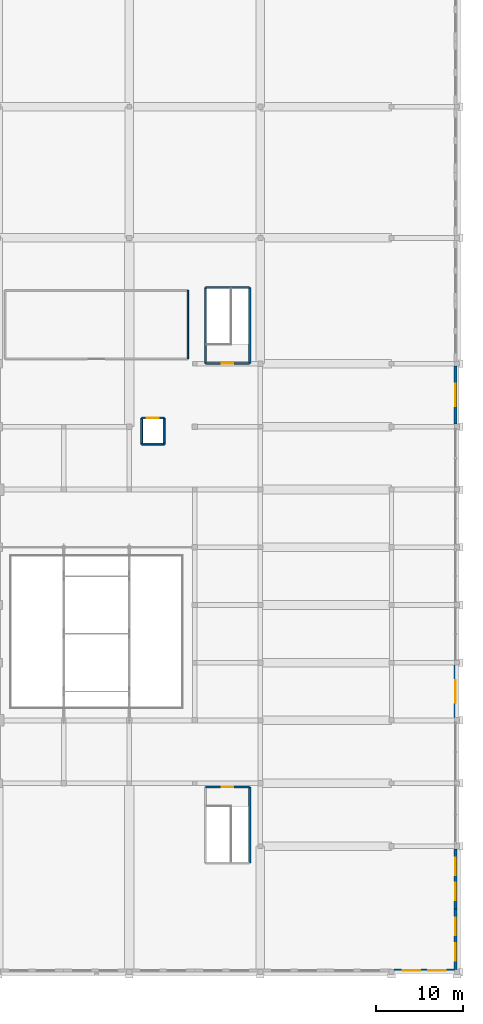
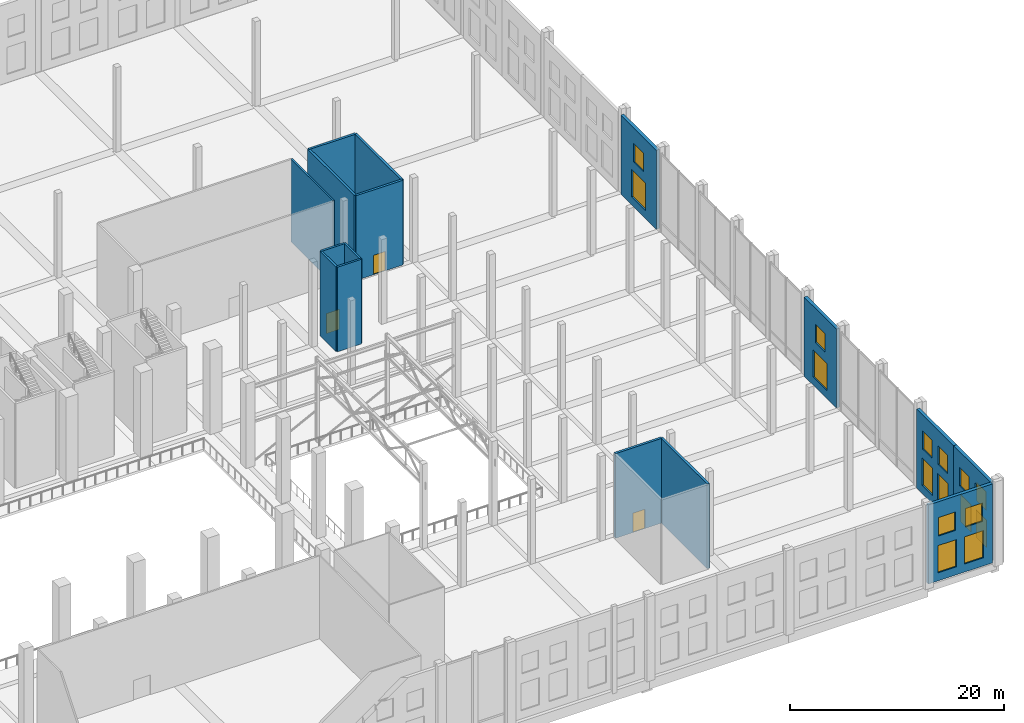
# One storey, part 71 of 80: 16 walls, 16 windows, 3 doors, 19 openings.
"""IFC4 building model written with IfcOpenShell, lengths in metres."""

from ifc_helpers import new_model, si_unit, direction, frame, frame_2d, origin, place, context, subcontext, project, spatial, rectangle, extrude, material, layer, layer_set, type_object, element, fill, save


model = new_model("IFC4")

# Units and contexts
model_context = context("Model", 3, precision=1e-05, world=origin(), true_north=direction((0.0, 1.0)))
body_context = subcontext(model_context, "Body", "Model", "MODEL_VIEW")
ifc_project = project(units=[si_unit("LENGTHUNIT", "METRE"), si_unit("AREAUNIT", "SQUARE_METRE"), si_unit("VOLUMEUNIT", "CUBIC_METRE"), si_unit("PLANEANGLEUNIT", "RADIAN"), si_unit("MASSUNIT", "GRAM", prefix="KILO")], contexts=[model_context])

# Site, building, storey
site_placement = place(None, origin())
site = spatial("IfcSite", under=ifc_project, at=site_placement, CompositionType="ELEMENT")
building_placement = place(site_placement, origin())
building = spatial("IfcBuilding", under=site, at=building_placement, Name="Akrevak Sports Hall", CompositionType="ELEMENT")
storey_placement = place(building_placement, frame((0.0, 0.0, 14.0)))
storey = spatial("IfcBuildingStorey", under=building, at=storey_placement, Name="L03", CompositionType="ELEMENT", Elevation=14.0)

# Wall, openings, windows
ifc_material_1 = material(Name="Limestone Ashlar", Category="stone")
ifc_layer_1 = layer(ifc_material_1, 0.070068359375, Name="Limestone Ashlar")
ifc_material_2 = material(Name="Mineral Wool Thermal Insulation", Category="insulation")
ifc_layer_2 = layer(ifc_material_2, 0.10009765625, Name="Mineral Wool Thermal Insulation")
ifc_material_3 = material(Name="Concrete C40/50", Category="concrete")
ifc_layer_3 = layer(ifc_material_3, 0.169921875, Name="Concrete C40/50")
ifc_layer_set_1 = layer_set([ifc_layer_1, ifc_layer_2, ifc_layer_3], Name="Limestone Ashlar / Mineral Wool Thermal Insulation / Concrete C40/50")
wall_type_1 = type_object("IfcWallType", Name="ARC-WL-EXT-340", PredefinedType="SOLIDWALL", material=ifc_layer_set_1)
wall_1_placement = place(storey_placement, frame((160.800048828125, 0.169921875, 0.0), z_axis=(0.0, 0.0, 1.0), x_axis=(1.0, 0.0, 0.0)))
wall_1 = element("IfcWall", 1, at=wall_1_placement, inside=storey, type_object=wall_type_1, Name="Exterior Limestone Wall L03-S20", PredefinedType="SOLIDWALL", context=body_context, shape_type="SweptSolid", body=[
    extrude(rectangle(XDim=6.89990234375, YDim=0.340087890625, at=frame_2d((3.449951171875, 0.0))), origin(), (0.0, 0.0, 1.0), 9.0),
])
opening_1_placement = place(wall_1_placement, frame((1.0009765625, 0.0, 0.919921875)))
opening_1 = element("IfcOpeningElement", 2, at=opening_1_placement, cuts=wall_1, Name="Opening WN-41", PredefinedType="OPENING", context=body_context, shape_type="SweptSolid", body=[
    extrude(rectangle(XDim=2.0, YDim=3.10009765625, at=frame_2d((1.0, 1.550048828125))), frame((0.0, 0.18212890625, 0.0), z_axis=(0.0, -1.0, 0.0), x_axis=(1.0, 0.0, 0.0)), (0.0, 0.0, 1.0), 0.364013671875),
])
opening_2_placement = place(wall_1_placement, frame((1.10107421875, 0.0, 5.10009765625)))
opening_2 = element("IfcOpeningElement", 3, at=opening_2_placement, cuts=wall_1, Name="Opening WN-37", PredefinedType="OPENING", context=body_context, shape_type="SweptSolid", body=[
    extrude(rectangle(XDim=1.800048828125, YDim=2.10009765625, at=frame_2d((0.89990234375, 1.050048828125))), frame((0.0, 0.18212890625, 0.0), z_axis=(0.0, -1.0, 0.0), x_axis=(1.0, 0.0, 0.0)), (0.0, 0.0, 1.0), 0.364013671875),
])
opening_3_placement = place(wall_1_placement, frame((3.89892578125, 0.0, 0.919921875)))
opening_3 = element("IfcOpeningElement", 4, at=opening_3_placement, cuts=wall_1, Name="Opening WN-41", PredefinedType="OPENING", context=body_context, shape_type="SweptSolid", body=[
    extrude(rectangle(XDim=2.0, YDim=3.10009765625, at=frame_2d((1.0, 1.550048828125))), frame((0.0, 0.18212890625, 0.0), z_axis=(0.0, -1.0, 0.0), x_axis=(1.0, 0.0, 0.0)), (0.0, 0.0, 1.0), 0.364013671875),
])
opening_4_placement = place(wall_1_placement, frame((3.9990234375, 0.0, 5.10009765625)))
opening_4 = element("IfcOpeningElement", 5, at=opening_4_placement, cuts=wall_1, Name="Opening WN-37", PredefinedType="OPENING", context=body_context, shape_type="SweptSolid", body=[
    extrude(rectangle(XDim=1.800048828125, YDim=2.10009765625, at=frame_2d((0.89990234375, 1.050048828125))), frame((0.0, 0.18212890625, 0.0), z_axis=(0.0, -1.0, 0.0), x_axis=(1.0, 0.0, 0.0)), (0.0, 0.0, 1.0), 0.364013671875),
])
ifc_material_4 = material(Name="Thermally Broken Bronze Frame & Double Low-E Glass", Category="glass")
window_type_1 = type_object("IfcWindowType", Name="ARC-WIN-SZ-1800x2100", PartitioningType="SINGLE_PANEL", PredefinedType="WINDOW", material=ifc_material_4)
window_1_placement = place(opening_2_placement, origin())
window_1 = element("IfcWindow", 6, at=window_1_placement, inside=storey, type_object=window_type_1, Name="Beaux-Arts Attic Clerestory Window WIN-L03-S20-1U", OverallHeight=2.10009765625, OverallWidth=1.800048828125, PartitioningType="SINGLE_PANEL", PredefinedType="WINDOW", context=body_context, shape_type="SweptSolid", body=[
    extrude(rectangle(XDim=1.800048828125, YDim=2.10009765625, at=frame_2d((0.89990234375, 1.050048828125))), frame((0.0, 0.030029296875, 0.0), z_axis=(0.0, -1.0, 0.0), x_axis=(1.0, 0.0, 0.0)), (0.0, 0.0, 1.0), 0.06005859375),
])
fill(opening_2, window_1)
window_2_placement = place(opening_4_placement, origin())
window_2 = element("IfcWindow", 7, at=window_2_placement, inside=storey, type_object=window_type_1, Name="Beaux-Arts Attic Clerestory Window WIN-L03-S20-2U", OverallHeight=2.10009765625, OverallWidth=1.800048828125, PartitioningType="SINGLE_PANEL", PredefinedType="WINDOW", context=body_context, shape_type="SweptSolid", body=[
    extrude(rectangle(XDim=1.800048828125, YDim=2.10009765625, at=frame_2d((0.89990234375, 1.050048828125))), frame((0.0, 0.030029296875, 0.0), z_axis=(0.0, -1.0, 0.0), x_axis=(1.0, 0.0, 0.0)), (0.0, 0.0, 1.0), 0.06005859375),
])
fill(opening_4, window_2)
window_type_2 = type_object("IfcWindowType", Name="ARC-WIN-SZ-2000x3100", PartitioningType="SINGLE_PANEL", PredefinedType="WINDOW", material=ifc_material_4)
window_3_placement = place(opening_1_placement, origin())
window_3 = element("IfcWindow", 8, at=window_3_placement, inside=storey, type_object=window_type_2, Name="Beaux-Arts Facade Window WIN-L03-S20-1", OverallHeight=3.10009765625, OverallWidth=2.0, PartitioningType="SINGLE_PANEL", PredefinedType="WINDOW", context=body_context, shape_type="SweptSolid", body=[
    extrude(rectangle(XDim=2.0, YDim=3.10009765625, at=frame_2d((1.0, 1.550048828125))), frame((0.0, 0.030029296875, 0.0), z_axis=(0.0, -1.0, 0.0), x_axis=(1.0, 0.0, 0.0)), (0.0, 0.0, 1.0), 0.06005859375),
])
fill(opening_1, window_3)
window_4_placement = place(opening_3_placement, origin())
window_4 = element("IfcWindow", 9, at=window_4_placement, inside=storey, type_object=window_type_2, Name="Beaux-Arts Facade Window WIN-L03-S20-2", OverallHeight=3.10009765625, OverallWidth=2.0, PartitioningType="SINGLE_PANEL", PredefinedType="WINDOW", context=body_context, shape_type="SweptSolid", body=[
    extrude(rectangle(XDim=2.0, YDim=3.10009765625, at=frame_2d((1.0, 1.550048828125))), frame((0.0, 0.030029296875, 0.0), z_axis=(0.0, -1.0, 0.0), x_axis=(1.0, 0.0, 0.0)), (0.0, 0.0, 1.0), 0.06005859375),
])
fill(opening_3, window_4)

wall_2_placement = place(storey_placement, frame((167.830078125, 0.300048828125, 0.0), z_axis=(0.0, 0.0, 1.0), x_axis=(0.0, 1.0, 0.0)))
wall_2 = element("IfcWall", 10, at=wall_2_placement, inside=storey, type_object=wall_type_1, Name="Exterior Limestone Wall L03-E01", PredefinedType="SOLIDWALL", context=body_context, shape_type="SweptSolid", body=[
    extrude(rectangle(XDim=6.89990234375, YDim=0.340087890625, at=frame_2d((3.449951171875, 0.0))), origin(), (0.0, 0.0, 1.0), 9.0),
])
opening_5_placement = place(wall_2_placement, frame((1.0009765625, 0.0, 0.919921875)))
opening_5 = element("IfcOpeningElement", 11, at=opening_5_placement, cuts=wall_2, Name="Opening WN-41", PredefinedType="OPENING", context=body_context, shape_type="SweptSolid", body=[
    extrude(rectangle(XDim=2.0, YDim=3.10009765625, at=frame_2d((1.0, 1.550048828125))), frame((0.0, 0.18212890625, 0.0), z_axis=(0.0, -1.0, 0.0), x_axis=(1.0, 0.0, 0.0)), (0.0, 0.0, 1.0), 0.364013671875),
])
opening_6_placement = place(wall_2_placement, frame((1.10107421875, 0.0, 5.10009765625)))
opening_6 = element("IfcOpeningElement", 12, at=opening_6_placement, cuts=wall_2, Name="Opening WN-37", PredefinedType="OPENING", context=body_context, shape_type="SweptSolid", body=[
    extrude(rectangle(XDim=1.800048828125, YDim=2.10009765625, at=frame_2d((0.89990234375, 1.050048828125))), frame((0.0, 0.18212890625, 0.0), z_axis=(0.0, -1.0, 0.0), x_axis=(1.0, 0.0, 0.0)), (0.0, 0.0, 1.0), 0.364013671875),
])
opening_7_placement = place(wall_2_placement, frame((3.89892578125, 0.0, 0.919921875)))
opening_7 = element("IfcOpeningElement", 13, at=opening_7_placement, cuts=wall_2, Name="Opening WN-41", PredefinedType="OPENING", context=body_context, shape_type="SweptSolid", body=[
    extrude(rectangle(XDim=2.0, YDim=3.10009765625, at=frame_2d((1.0, 1.550048828125))), frame((0.0, 0.18212890625, 0.0), z_axis=(0.0, -1.0, 0.0), x_axis=(1.0, 0.0, 0.0)), (0.0, 0.0, 1.0), 0.364013671875),
])
opening_8_placement = place(wall_2_placement, frame((3.9990234375, 0.0, 5.10009765625)))
opening_8 = element("IfcOpeningElement", 14, at=opening_8_placement, cuts=wall_2, Name="Opening WN-37", PredefinedType="OPENING", context=body_context, shape_type="SweptSolid", body=[
    extrude(rectangle(XDim=1.800048828125, YDim=2.10009765625, at=frame_2d((0.89990234375, 1.050048828125))), frame((0.0, 0.18212890625, 0.0), z_axis=(0.0, -1.0, 0.0), x_axis=(1.0, 0.0, 0.0)), (0.0, 0.0, 1.0), 0.364013671875),
])
window_5_placement = place(opening_6_placement, origin())
window_5 = element("IfcWindow", 15, at=window_5_placement, inside=storey, type_object=window_type_1, Name="Beaux-Arts Attic Clerestory Window WIN-L03-E01-1U", OverallHeight=2.10009765625, OverallWidth=1.800048828125, PartitioningType="SINGLE_PANEL", PredefinedType="WINDOW", context=body_context, shape_type="SweptSolid", body=[
    extrude(rectangle(XDim=1.800048828125, YDim=2.10009765625, at=frame_2d((0.89990234375, 1.050048828125))), frame((0.0, 0.030029296875, 0.0), z_axis=(0.0, -1.0, 0.0), x_axis=(1.0, 0.0, 0.0)), (0.0, 0.0, 1.0), 0.06005859375),
])
fill(opening_6, window_5)
window_6_placement = place(opening_8_placement, origin())
window_6 = element("IfcWindow", 16, at=window_6_placement, inside=storey, type_object=window_type_1, Name="Beaux-Arts Attic Clerestory Window WIN-L03-E01-2U", OverallHeight=2.10009765625, OverallWidth=1.800048828125, PartitioningType="SINGLE_PANEL", PredefinedType="WINDOW", context=body_context, shape_type="SweptSolid", body=[
    extrude(rectangle(XDim=1.800048828125, YDim=2.10009765625, at=frame_2d((0.89990234375, 1.050048828125))), frame((0.0, 0.030029296875, 0.0), z_axis=(0.0, -1.0, 0.0), x_axis=(1.0, 0.0, 0.0)), (0.0, 0.0, 1.0), 0.06005859375),
])
fill(opening_8, window_6)
window_7_placement = place(opening_5_placement, origin())
window_7 = element("IfcWindow", 17, at=window_7_placement, inside=storey, type_object=window_type_2, Name="Beaux-Arts Facade Window WIN-L03-E01-1", OverallHeight=3.10009765625, OverallWidth=2.0, PartitioningType="SINGLE_PANEL", PredefinedType="WINDOW", context=body_context, shape_type="SweptSolid", body=[
    extrude(rectangle(XDim=2.0, YDim=3.10009765625, at=frame_2d((1.0, 1.550048828125))), frame((0.0, 0.030029296875, 0.0), z_axis=(0.0, -1.0, 0.0), x_axis=(1.0, 0.0, 0.0)), (0.0, 0.0, 1.0), 0.06005859375),
])
fill(opening_5, window_7)
window_8_placement = place(opening_7_placement, origin())
window_8 = element("IfcWindow", 18, at=window_8_placement, inside=storey, type_object=window_type_2, Name="Beaux-Arts Facade Window WIN-L03-E01-2", OverallHeight=3.10009765625, OverallWidth=2.0, PartitioningType="SINGLE_PANEL", PredefinedType="WINDOW", context=body_context, shape_type="SweptSolid", body=[
    extrude(rectangle(XDim=2.0, YDim=3.10009765625, at=frame_2d((1.0, 1.550048828125))), frame((0.0, 0.030029296875, 0.0), z_axis=(0.0, -1.0, 0.0), x_axis=(1.0, 0.0, 0.0)), (0.0, 0.0, 1.0), 0.06005859375),
])
fill(opening_7, window_8)

wall_3_placement = place(storey_placement, frame((167.830078125, 7.199951171875, 0.0), z_axis=(0.0, 0.0, 1.0), x_axis=(0.0, 1.0, 0.0)))
wall_3 = element("IfcWall", 19, at=wall_3_placement, inside=storey, type_object=wall_type_1, Name="Exterior Limestone Wall L03-E02", PredefinedType="SOLIDWALL", context=body_context, shape_type="SweptSolid", body=[
    extrude(rectangle(XDim=6.900146484375, YDim=0.340087890625, at=frame_2d((3.4501953125, 0.0))), origin(), (0.0, 0.0, 1.0), 9.0),
])
opening_9_placement = place(wall_3_placement, frame((1.0009765625, 0.0, 0.919921875)))
opening_9 = element("IfcOpeningElement", 20, at=opening_9_placement, cuts=wall_3, Name="Opening WN-41", PredefinedType="OPENING", context=body_context, shape_type="SweptSolid", body=[
    extrude(rectangle(XDim=2.0, YDim=3.10009765625, at=frame_2d((1.0, 1.550048828125))), frame((0.0, 0.18212890625, 0.0), z_axis=(0.0, -1.0, 0.0), x_axis=(1.0, 0.0, 0.0)), (0.0, 0.0, 1.0), 0.364013671875),
])
opening_10_placement = place(wall_3_placement, frame((1.10107421875, 0.0, 5.10009765625)))
opening_10 = element("IfcOpeningElement", 21, at=opening_10_placement, cuts=wall_3, Name="Opening WN-37", PredefinedType="OPENING", context=body_context, shape_type="SweptSolid", body=[
    extrude(rectangle(XDim=1.800048828125, YDim=2.10009765625, at=frame_2d((0.89990234375, 1.050048828125))), frame((0.0, 0.18212890625, 0.0), z_axis=(0.0, -1.0, 0.0), x_axis=(1.0, 0.0, 0.0)), (0.0, 0.0, 1.0), 0.364013671875),
])
opening_11_placement = place(wall_3_placement, frame((3.89892578125, 0.0, 0.919921875)))
opening_11 = element("IfcOpeningElement", 22, at=opening_11_placement, cuts=wall_3, Name="Opening WN-41", PredefinedType="OPENING", context=body_context, shape_type="SweptSolid", body=[
    extrude(rectangle(XDim=2.0, YDim=3.10009765625, at=frame_2d((1.0, 1.550048828125))), frame((0.0, 0.18212890625, 0.0), z_axis=(0.0, -1.0, 0.0), x_axis=(1.0, 0.0, 0.0)), (0.0, 0.0, 1.0), 0.364013671875),
])
opening_12_placement = place(wall_3_placement, frame((3.9990234375, 0.0, 5.10009765625)))
opening_12 = element("IfcOpeningElement", 23, at=opening_12_placement, cuts=wall_3, Name="Opening WN-37", PredefinedType="OPENING", context=body_context, shape_type="SweptSolid", body=[
    extrude(rectangle(XDim=1.800048828125, YDim=2.10009765625, at=frame_2d((0.89990234375, 1.050048828125))), frame((0.0, 0.18212890625, 0.0), z_axis=(0.0, -1.0, 0.0), x_axis=(1.0, 0.0, 0.0)), (0.0, 0.0, 1.0), 0.364013671875),
])
window_9_placement = place(opening_10_placement, origin())
window_9 = element("IfcWindow", 24, at=window_9_placement, inside=storey, type_object=window_type_1, Name="Beaux-Arts Attic Clerestory Window WIN-L03-E02-1U", OverallHeight=2.10009765625, OverallWidth=1.800048828125, PartitioningType="SINGLE_PANEL", PredefinedType="WINDOW", context=body_context, shape_type="SweptSolid", body=[
    extrude(rectangle(XDim=1.800048828125, YDim=2.10009765625, at=frame_2d((0.89990234375, 1.050048828125))), frame((0.0, 0.030029296875, 0.0), z_axis=(0.0, -1.0, 0.0), x_axis=(1.0, 0.0, 0.0)), (0.0, 0.0, 1.0), 0.06005859375),
])
fill(opening_10, window_9)
window_10_placement = place(opening_12_placement, origin())
window_10 = element("IfcWindow", 25, at=window_10_placement, inside=storey, type_object=window_type_1, Name="Beaux-Arts Attic Clerestory Window WIN-L03-E02-2U", OverallHeight=2.10009765625, OverallWidth=1.800048828125, PartitioningType="SINGLE_PANEL", PredefinedType="WINDOW", context=body_context, shape_type="SweptSolid", body=[
    extrude(rectangle(XDim=1.800048828125, YDim=2.10009765625, at=frame_2d((0.89990234375, 1.050048828125))), frame((0.0, 0.030029296875, 0.0), z_axis=(0.0, -1.0, 0.0), x_axis=(1.0, 0.0, 0.0)), (0.0, 0.0, 1.0), 0.06005859375),
])
fill(opening_12, window_10)
window_11_placement = place(opening_9_placement, origin())
window_11 = element("IfcWindow", 26, at=window_11_placement, inside=storey, type_object=window_type_2, Name="Beaux-Arts Facade Window WIN-L03-E02-1", OverallHeight=3.10009765625, OverallWidth=2.0, PartitioningType="SINGLE_PANEL", PredefinedType="WINDOW", context=body_context, shape_type="SweptSolid", body=[
    extrude(rectangle(XDim=2.0, YDim=3.10009765625, at=frame_2d((1.0, 1.550048828125))), frame((0.0, 0.030029296875, 0.0), z_axis=(0.0, -1.0, 0.0), x_axis=(1.0, 0.0, 0.0)), (0.0, 0.0, 1.0), 0.06005859375),
])
fill(opening_9, window_11)
window_12_placement = place(opening_11_placement, origin())
window_12 = element("IfcWindow", 27, at=window_12_placement, inside=storey, type_object=window_type_2, Name="Beaux-Arts Facade Window WIN-L03-E02-2", OverallHeight=3.10009765625, OverallWidth=2.0, PartitioningType="SINGLE_PANEL", PredefinedType="WINDOW", context=body_context, shape_type="SweptSolid", body=[
    extrude(rectangle(XDim=2.0, YDim=3.10009765625, at=frame_2d((1.0, 1.550048828125))), frame((0.0, 0.030029296875, 0.0), z_axis=(0.0, -1.0, 0.0), x_axis=(1.0, 0.0, 0.0)), (0.0, 0.0, 1.0), 0.06005859375),
])
fill(opening_11, window_12)

wall_4_placement = place(storey_placement, frame((167.830078125, 29.10009765625, 0.0), z_axis=(0.0, 0.0, 1.0), x_axis=(0.0, 1.0, 0.0)))
wall_4 = element("IfcWall", 28, at=wall_4_placement, inside=storey, type_object=wall_type_1, Name="Exterior Limestone Wall L03-E05", PredefinedType="SOLIDWALL", context=body_context, shape_type="SweptSolid", body=[
    extrude(rectangle(XDim=6.02490234375, YDim=0.340087890625, at=frame_2d((3.012451171875, 0.0))), origin(), (0.0, 0.0, 1.0), 9.0),
])
opening_13_placement = place(wall_4_placement, frame((1.71240234375, 0.0, 0.919921875)))
opening_13 = element("IfcOpeningElement", 29, at=opening_13_placement, cuts=wall_4, Name="Opening WN-42", PredefinedType="OPENING", context=body_context, shape_type="SweptSolid", body=[
    extrude(rectangle(XDim=2.60009765625, YDim=3.10009765625, at=frame_2d((1.300048828125, 1.550048828125))), frame((0.0, 0.18212890625, 0.0), z_axis=(0.0, -1.0, 0.0), x_axis=(1.0, 0.0, 0.0)), (0.0, 0.0, 1.0), 0.364013671875),
])
opening_14_placement = place(wall_4_placement, frame((2.112548828125, 0.0, 5.10009765625)))
opening_14 = element("IfcOpeningElement", 30, at=opening_14_placement, cuts=wall_4, Name="Opening WN-37", PredefinedType="OPENING", context=body_context, shape_type="SweptSolid", body=[
    extrude(rectangle(XDim=1.800048828125, YDim=2.10009765625, at=frame_2d((0.89990234375, 1.050048828125))), frame((0.0, 0.18212890625, 0.0), z_axis=(0.0, -1.0, 0.0), x_axis=(1.0, 0.0, 0.0)), (0.0, 0.0, 1.0), 0.364013671875),
])
window_13_placement = place(opening_14_placement, origin())
window_13 = element("IfcWindow", 31, at=window_13_placement, inside=storey, type_object=window_type_1, Name="Beaux-Arts Attic Clerestory Window WIN-L03-E05U", OverallHeight=2.10009765625, OverallWidth=1.800048828125, PartitioningType="SINGLE_PANEL", PredefinedType="WINDOW", context=body_context, shape_type="SweptSolid", body=[
    extrude(rectangle(XDim=1.800048828125, YDim=2.10009765625, at=frame_2d((0.89990234375, 1.050048828125))), frame((0.0, 0.030029296875, 0.0), z_axis=(0.0, -1.0, 0.0), x_axis=(1.0, 0.0, 0.0)), (0.0, 0.0, 1.0), 0.06005859375),
])
fill(opening_14, window_13)
window_type_3 = type_object("IfcWindowType", Name="ARC-WIN-SZ-2600x3100", PartitioningType="SINGLE_PANEL", PredefinedType="WINDOW", material=ifc_material_4)
window_14_placement = place(opening_13_placement, origin())
window_14 = element("IfcWindow", 32, at=window_14_placement, inside=storey, type_object=window_type_3, Name="Beaux-Arts Facade Window WIN-L03-E05", OverallHeight=3.10009765625, OverallWidth=2.60009765625, PartitioningType="SINGLE_PANEL", PredefinedType="WINDOW", context=body_context, shape_type="SweptSolid", body=[
    extrude(rectangle(XDim=2.60009765625, YDim=3.10009765625, at=frame_2d((1.300048828125, 1.550048828125))), frame((0.0, 0.030029296875, 0.0), z_axis=(0.0, -1.0, 0.0), x_axis=(1.0, 0.0, 0.0)), (0.0, 0.0, 1.0), 0.06005859375),
])
fill(opening_13, window_14)

wall_5_placement = place(storey_placement, frame((167.830078125, 62.699951171875, 0.0), z_axis=(0.0, 0.0, 1.0), x_axis=(0.0, 1.0, 0.0)))
wall_5 = element("IfcWall", 33, at=wall_5_placement, inside=storey, type_object=wall_type_1, Name="Exterior Limestone Wall L03-E10", PredefinedType="SOLIDWALL", context=body_context, shape_type="SweptSolid", body=[
    extrude(rectangle(XDim=6.625, YDim=0.340087890625, at=frame_2d((3.3125, 0.0))), origin(), (0.0, 0.0, 1.0), 9.0),
])
opening_15_placement = place(wall_5_placement, frame((2.012451171875, 0.0, 0.919921875)))
opening_15 = element("IfcOpeningElement", 34, at=opening_15_placement, cuts=wall_5, Name="Opening WN-42", PredefinedType="OPENING", context=body_context, shape_type="SweptSolid", body=[
    extrude(rectangle(XDim=2.60009765625, YDim=3.10009765625, at=frame_2d((1.300048828125, 1.550048828125))), frame((0.0, 0.18212890625, 0.0), z_axis=(0.0, -1.0, 0.0), x_axis=(1.0, 0.0, 0.0)), (0.0, 0.0, 1.0), 0.364013671875),
])
opening_16_placement = place(wall_5_placement, frame((2.41259765625, 0.0, 5.10009765625)))
opening_16 = element("IfcOpeningElement", 35, at=opening_16_placement, cuts=wall_5, Name="Opening WN-37", PredefinedType="OPENING", context=body_context, shape_type="SweptSolid", body=[
    extrude(rectangle(XDim=1.800048828125, YDim=2.10009765625, at=frame_2d((0.89990234375, 1.050048828125))), frame((0.0, 0.18212890625, 0.0), z_axis=(0.0, -1.0, 0.0), x_axis=(1.0, 0.0, 0.0)), (0.0, 0.0, 1.0), 0.364013671875),
])
window_15_placement = place(opening_16_placement, origin())
window_15 = element("IfcWindow", 36, at=window_15_placement, inside=storey, type_object=window_type_1, Name="Beaux-Arts Attic Clerestory Window WIN-L03-E10U", OverallHeight=2.10009765625, OverallWidth=1.800048828125, PartitioningType="SINGLE_PANEL", PredefinedType="WINDOW", context=body_context, shape_type="SweptSolid", body=[
    extrude(rectangle(XDim=1.800048828125, YDim=2.10009765625, at=frame_2d((0.89990234375, 1.050048828125))), frame((0.0, 0.030029296875, 0.0), z_axis=(0.0, -1.0, 0.0), x_axis=(1.0, 0.0, 0.0)), (0.0, 0.0, 1.0), 0.06005859375),
])
fill(opening_16, window_15)
window_16_placement = place(opening_15_placement, origin())
window_16 = element("IfcWindow", 37, at=window_16_placement, inside=storey, type_object=window_type_3, Name="Beaux-Arts Facade Window WIN-L03-E10", OverallHeight=3.10009765625, OverallWidth=2.60009765625, PartitioningType="SINGLE_PANEL", PredefinedType="WINDOW", context=body_context, shape_type="SweptSolid", body=[
    extrude(rectangle(XDim=2.60009765625, YDim=3.10009765625, at=frame_2d((1.300048828125, 1.550048828125))), frame((0.0, 0.030029296875, 0.0), z_axis=(0.0, -1.0, 0.0), x_axis=(1.0, 0.0, 0.0)), (0.0, 0.0, 1.0), 0.06005859375),
])
fill(opening_15, window_16)

# Walls
ifc_material_5 = material(Name="Autoclaved Aerated Masonry Block", Category="masonry")
ifc_layer_4 = layer(ifc_material_5, 0.179931640625, Name="Autoclaved Aerated Masonry Block")
ifc_layer_set_2 = layer_set([ifc_layer_4], Name="Autoclaved Aerated Masonry Block")
wall_type_2 = type_object("IfcWallType", Name="ARC-WL-PRT-180", PredefinedType="PARTITIONING", material=ifc_layer_set_2)
wall_6_placement = place(storey_placement, frame((137.199951171875, 70.14990234375, 0.0), z_axis=(0.0, 0.0, 1.0), x_axis=(0.0, 1.0, 0.0)))
element("IfcWall", 38, at=wall_6_placement, inside=storey, type_object=wall_type_2, Name="Interior Partition Air-Handling Acoustic Plant L03 (E)", PredefinedType="PARTITIONING", context=body_context, shape_type="SweptSolid", body=[
    extrude(rectangle(XDim=7.85009765625, YDim=0.179931640625, at=frame_2d((3.925048828125, 0.0))), origin(), (0.0, 0.0, 1.0), 9.429931640625),
])
ifc_material_6 = material(Name="Concrete C50/60", Category="concrete")
ifc_layer_5 = layer(ifc_material_6, 0.219970703125, Name="Concrete C50/60")
ifc_layer_set_3 = layer_set([ifc_layer_5], Name="Concrete C50/60")
wall_type_3 = type_object("IfcWallType", Name="ARC-WL-SHAFT-220", PredefinedType="SHEAR", material=ifc_layer_set_3)
wall_7_placement = place(storey_placement, frame((131.909912109375, 60.409912109375, 0.0), z_axis=(0.0, 0.0, 1.0), x_axis=(1.0, 0.0, 0.0)))
element("IfcWall", 39, at=wall_7_placement, inside=storey, type_object=wall_type_3, Name="Lift Shaft LF-S1 Wall S (L03)", PredefinedType="SHEAR", context=body_context, shape_type="SweptSolid", body=[
    extrude(rectangle(XDim=2.580078125, YDim=0.219970703125, at=frame_2d((1.2900390625, 0.0))), origin(), (0.0, 0.0, 1.0), 9.64990234375),
])

# Wall, opening, door
wall_8_placement = place(storey_placement, frame((134.489990234375, 63.389892578125, 0.0), z_axis=(0.0, 0.0, 1.0), x_axis=(-1.0, 0.0, 0.0)))
wall_8 = element("IfcWall", 40, at=wall_8_placement, inside=storey, type_object=wall_type_3, Name="Lift Shaft LF-S1 Wall N (L03)", PredefinedType="SHEAR", context=body_context, shape_type="SweptSolid", body=[
    extrude(rectangle(XDim=2.580078125, YDim=0.219970703125, at=frame_2d((1.2900390625, 0.0))), origin(), (0.0, 0.0, 1.0), 9.64990234375),
])
opening_17_placement = place(wall_8_placement, frame((0.590087890625, 0.0, 0.0)))
opening_17 = element("IfcOpeningElement", 41, at=opening_17_placement, cuts=wall_8, Name="Opening LD-03", PredefinedType="OPENING", context=body_context, shape_type="SweptSolid", body=[
    extrude(rectangle(XDim=1.39990234375, YDim=2.300048828125, at=frame_2d((0.699951171875, 1.14990234375))), frame((0.0, 0.1220703125, 0.0), z_axis=(0.0, -1.0, 0.0), x_axis=(1.0, 0.0, 0.0)), (0.0, 0.0, 1.0), 0.243896484375),
])
ifc_material_7 = material(Name="Brushed Stainless Steel 304", Category="steel")
door_type_1 = type_object("IfcDoorType", Name="ARC-DR-LD-140x230", OperationType="SLIDING_TO_LEFT", PredefinedType="DOOR", material=ifc_material_7)
door_1_placement = place(opening_17_placement, origin())
door_1 = element("IfcDoor", 42, at=door_1_placement, inside=storey, type_object=door_type_1, Name="Lift LF-S1 Sliding Landing Door (L03)", OperationType="SLIDING_TO_RIGHT", OverallHeight=2.300048828125, OverallWidth=1.39990234375, PredefinedType="DOOR", context=body_context, shape_type="SweptSolid", body=[
    extrude(rectangle(XDim=1.39990234375, YDim=2.300048828125, at=frame_2d((0.699951171875, 1.14990234375))), frame((0.0, 0.02490234375, 0.0), z_axis=(0.0, -1.0, 0.0), x_axis=(1.0, 0.0, 0.0)), (0.0, 0.0, 1.0), 0.050048828125),
])
fill(opening_17, door_1)

# Walls
for number, where, z_axis, x_axis, name in (
    (43, (131.909912109375, 63.389892578125, 0.0), (0.0, 0.0, 1.0), (0.0, -1.0, 0.0), "Lift Shaft LF-S1 Wall W (L03)"),
    (44, (134.489990234375, 60.409912109375, 0.0), (0.0, 0.0, 1.0), (0.0, 1.0, 0.0), "Lift Shaft LF-S1 Wall E (L03)"),
):
    element("IfcWall", number, at=place(storey_placement, frame(where, z_axis=z_axis, x_axis=x_axis)), inside=storey, type_object=wall_type_3, Name=name, PredefinedType="SHEAR", context=body_context, shape_type="SweptSolid", body=[
        extrude(rectangle(XDim=2.97998046875, YDim=0.219970703125, at=frame_2d((1.489990234375, 0.0))), origin(), (0.0, 0.0, 1.0), 9.64990234375),
    ])

# Wall, opening, door
ifc_layer_6 = layer(ifc_material_6, 0.25, Name="Concrete C50/60")
ifc_layer_set_4 = layer_set([ifc_layer_6], Name="Concrete C50/60")
wall_type_4 = type_object("IfcWallType", Name="STR-WL-STAIR-250", PredefinedType="SHEAR", material=ifc_layer_set_4)
wall_9_placement = place(storey_placement, frame((144.27490234375, 21.175048828125, 0.0), z_axis=(0.0, 0.0, 1.0), x_axis=(-1.0, 0.0, 0.0)))
wall_9 = element("IfcWall", 45, at=wall_9_placement, inside=storey, type_object=wall_type_4, Name="Stair Core ST7 Shear Wall N (L03)", PredefinedType="SHEAR", context=body_context, shape_type="SweptSolid", body=[
    extrude(rectangle(XDim=5.0498046875, YDim=0.25, at=frame_2d((2.52490234375, 0.0))), origin(), (0.0, 0.0, 1.0), 9.64990234375),
])
opening_18_placement = place(wall_9_placement, frame((1.875, 0.0, 0.0)))
opening_18 = element("IfcOpeningElement", 46, at=opening_18_placement, cuts=wall_9, Name="Opening SD-01", PredefinedType="OPENING", context=body_context, shape_type="SweptSolid", body=[
    extrude(rectangle(XDim=1.300048828125, YDim=2.199951171875, at=frame_2d((0.64990234375, 1.10009765625))), frame((0.0, 0.136962890625, 0.0), z_axis=(0.0, -1.0, 0.0), x_axis=(1.0, 0.0, 0.0)), (0.0, 0.0, 1.0), 0.27392578125),
])
ifc_material_8 = material(Name="Fire-Rated Galvanized Door Steel", Category="steel")
door_type_2 = type_object("IfcDoorType", Name="ARC-DR-STAIR-130x220", OperationType="NOTDEFINED", PredefinedType="DOOR", material=ifc_material_8)
door_2_placement = place(opening_18_placement, origin())
door_2 = element("IfcDoor", 47, at=door_2_placement, inside=storey, type_object=door_type_2, Name="Exit Stair ST7 Door (L03)", OperationType="SINGLE_SWING_LEFT", OverallHeight=2.199951171875, OverallWidth=1.300048828125, PredefinedType="DOOR", context=body_context, shape_type="SweptSolid", body=[
    extrude(rectangle(XDim=1.300048828125, YDim=2.199951171875, at=frame_2d((0.64990234375, 1.10009765625))), frame((0.0, 0.02490234375, 0.0), z_axis=(0.0, -1.0, 0.0), x_axis=(1.0, 0.0, 0.0)), (0.0, 0.0, 1.0), 0.050048828125),
])
fill(opening_18, door_2)

# Wall
wall_10_placement = place(storey_placement, frame((144.27490234375, 12.47509765625, 0.0), z_axis=(0.0, 0.0, 1.0), x_axis=(0.0, 1.0, 0.0)))
element("IfcWall", 48, at=wall_10_placement, inside=storey, type_object=wall_type_4, Name="Stair Core ST7 Shear Wall E (L03)", PredefinedType="SHEAR", context=body_context, shape_type="SweptSolid", body=[
    extrude(rectangle(XDim=8.699951171875, YDim=0.25, at=frame_2d((4.35009765625, 0.0))), origin(), (0.0, 0.0, 1.0), 9.64990234375),
])

# Wall, opening, door
wall_11_placement = place(storey_placement, frame((139.22509765625, 69.625, 0.0), z_axis=(0.0, 0.0, 1.0), x_axis=(1.0, 0.0, 0.0)))
wall_11 = element("IfcWall", 49, at=wall_11_placement, inside=storey, type_object=wall_type_4, Name="Stair Core ST8 Shear Wall S (L03)", PredefinedType="SHEAR", context=body_context, shape_type="SweptSolid", body=[
    extrude(rectangle(XDim=5.0498046875, YDim=0.25, at=frame_2d((2.52490234375, 0.0))), origin(), (0.0, 0.0, 1.0), 9.64990234375),
])
opening_19_placement = place(wall_11_placement, frame((1.875, 0.0, 0.0)))
opening_19 = element("IfcOpeningElement", 50, at=opening_19_placement, cuts=wall_11, Name="Opening SD-01", PredefinedType="OPENING", context=body_context, shape_type="SweptSolid", body=[
    extrude(rectangle(XDim=1.300048828125, YDim=2.199951171875, at=frame_2d((0.64990234375, 1.10009765625))), frame((0.0, 0.136962890625, 0.0), z_axis=(0.0, -1.0, 0.0), x_axis=(1.0, 0.0, 0.0)), (0.0, 0.0, 1.0), 0.27392578125),
])
door_3_placement = place(opening_19_placement, origin())
door_3 = element("IfcDoor", 51, at=door_3_placement, inside=storey, type_object=door_type_2, Name="Exit Stair ST8 Door (L03)", OperationType="SINGLE_SWING_RIGHT", OverallHeight=2.199951171875, OverallWidth=1.300048828125, PredefinedType="DOOR", context=body_context, shape_type="SweptSolid", body=[
    extrude(rectangle(XDim=1.300048828125, YDim=2.199951171875, at=frame_2d((0.64990234375, 1.10009765625))), frame((0.0, 0.02490234375, 0.0), z_axis=(0.0, -1.0, 0.0), x_axis=(1.0, 0.0, 0.0)), (0.0, 0.0, 1.0), 0.050048828125),
])
fill(opening_19, door_3)

# Walls
wall_12_placement = place(storey_placement, frame((144.27490234375, 78.324951171875, 0.0), z_axis=(0.0, 0.0, 1.0), x_axis=(-1.0, 0.0, 0.0)))
element("IfcWall", 52, at=wall_12_placement, inside=storey, type_object=wall_type_4, Name="Stair Core ST8 Shear Wall N (L03)", PredefinedType="SHEAR", context=body_context, shape_type="SweptSolid", body=[
    extrude(rectangle(XDim=5.0498046875, YDim=0.25, at=frame_2d((2.52490234375, 0.0))), origin(), (0.0, 0.0, 1.0), 9.64990234375),
])
for number, where, z_axis, x_axis, name in (
    (53, (139.22509765625, 78.324951171875, 0.0), (0.0, 0.0, 1.0), (0.0, -1.0, 0.0), "Stair Core ST8 Shear Wall W (L03)"),
    (54, (144.27490234375, 69.625, 0.0), (0.0, 0.0, 1.0), (0.0, 1.0, 0.0), "Stair Core ST8 Shear Wall E (L03)"),
):
    element("IfcWall", number, at=place(storey_placement, frame(where, z_axis=z_axis, x_axis=x_axis)), inside=storey, type_object=wall_type_4, Name=name, PredefinedType="SHEAR", context=body_context, shape_type="SweptSolid", body=[
        extrude(rectangle(XDim=8.699951171875, YDim=0.25, at=frame_2d((4.35009765625, 0.0))), origin(), (0.0, 0.0, 1.0), 9.64990234375),
    ])

save(model, "model.ifc")
